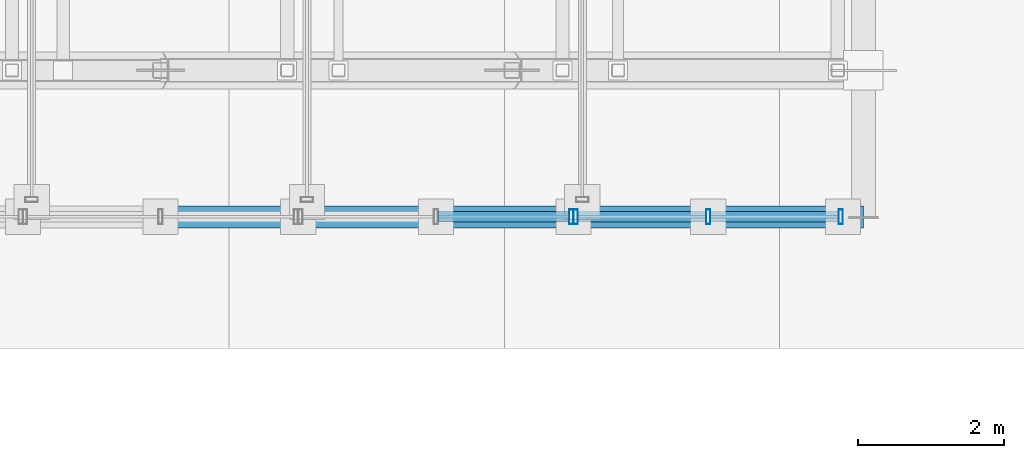
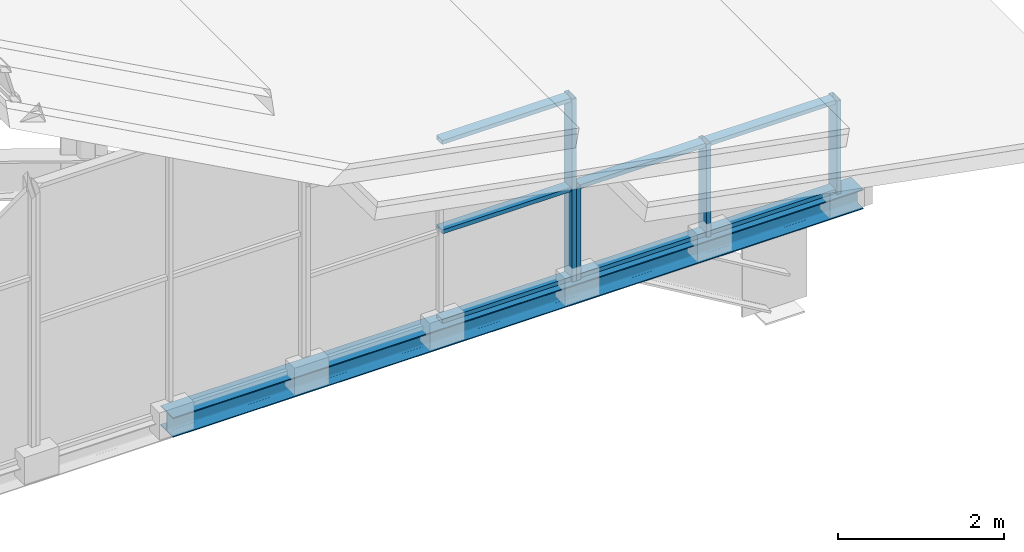
# One storey, part 9 of 117: 11 members, 1 beam, 2 elements without a shape of their own.
"""IFC4 building model written with IfcOpenShell, lengths in metres."""

from ifc_helpers import new_model, si_unit, direction, frame, origin, origin_2d, place, context, subcontext, project, spatial, hollow_rectangle, i_section, extrude, material, material_profile, profile_set, type_object, element, aggregate, save


model = new_model("IFC4")

# Units and contexts
model_context = context("Model", 3, precision=1e-05, world=origin(), true_north=direction((0.0, 1.0)))
body_context = subcontext(model_context, "Body", "Model", "MODEL_VIEW")
ifc_project = project(units=[si_unit("LENGTHUNIT", "METRE"), si_unit("AREAUNIT", "SQUARE_METRE"), si_unit("VOLUMEUNIT", "CUBIC_METRE"), si_unit("PLANEANGLEUNIT", "RADIAN"), si_unit("MASSUNIT", "GRAM", prefix="KILO")], contexts=[model_context])

# Site, building, storey
site_placement = place(None, origin())
site = spatial("IfcSite", under=ifc_project, at=site_placement, CompositionType="ELEMENT")
building_placement = place(site_placement, origin())
building = spatial("IfcBuilding", under=site, at=building_placement, Name="Merenkruunu Market Hall", CompositionType="ELEMENT")
storey_placement = place(building_placement, frame((0.0, 0.0, 22.800048828125)))
storey = spatial("IfcBuildingStorey", under=building, at=storey_placement, Name="RF", CompositionType="ELEMENT", Elevation=22.800048828125)

# Curtain wall, member
ifc_material_1 = material(Name="Powder-coated aluminium", Category="aluminium")
curtain_wall_type_1 = type_object("IfcCurtainWallType", Name="Glazed Curtain Wall CW17", PredefinedType="USERDEFINED", material=ifc_material_1)
curtain_wall_1_placement = place(storey_placement, origin())
curtain_wall_1 = element("IfcCurtainWall", 1, at=curtain_wall_1_placement, inside=storey, type_object=curtain_wall_type_1, Name="CW-RF-CWM03-049", ObjectType="GLAZED_FACADE", PredefinedType="USERDEFINED")
ifc_material_profile_1 = material_profile(ifc_material_1, hollow_rectangle(XDim=0.06005859375, YDim=0.199951171875, WallThickness=0.0048828125, at=origin_2d()), Name="ALU 60x200x5")
ifc_profile_set_1 = profile_set([ifc_material_profile_1], Name="Powder-coated aluminium")
member_type_1 = type_object("IfcMemberType", Name="Curtain Wall Mullion CWM03", PredefinedType="MULLION", material=ifc_profile_set_1)
member_1_placement = place(storey_placement, frame((53.610107421875, 15.60009765625, -8.68994140625), z_axis=(0.0, 0.0, 1.0), x_axis=(-1.0, 0.0, 0.0)))
member_1 = element("IfcMember", 2, at=member_1_placement, type_object=member_type_1, Name="CW17 mullion 1", PredefinedType="MULLION", context=body_context, shape_type="SweptSolid", body=[
    extrude(hollow_rectangle(XDim=0.06005859375, YDim=0.199951171875, WallThickness=0.0048828125, at=origin_2d()), origin(), (0.0, 0.0, 1.0), 2.68994140625),
])

# Curtain wall, members
curtain_wall_type_2 = type_object("IfcCurtainWallType", Name="Clerestory Curtain Band CL03", PredefinedType="USERDEFINED", material=ifc_material_1)
curtain_wall_2_placement = place(storey_placement, origin())
curtain_wall_2 = element("IfcCurtainWall", 3, at=curtain_wall_2_placement, inside=storey, type_object=curtain_wall_type_2, Name="CW-RF-CWM03-050", ObjectType="CLERESTORY_BAND", PredefinedType="USERDEFINED")
member_2_placement = place(storey_placement, frame((57.2900390625, 15.60009765625, -8.68994140625), z_axis=(0.0, 0.0, 1.0), x_axis=(-1.0, 0.0, 0.0)))
member_2 = element("IfcMember", 4, at=member_2_placement, type_object=member_type_1, Name="CL03 mullion 1", PredefinedType="MULLION", context=body_context, shape_type="SweptSolid", body=[
    extrude(hollow_rectangle(XDim=0.06005859375, YDim=0.199951171875, WallThickness=0.0048828125, at=origin_2d()), origin(), (0.0, 0.0, 1.0), 1.369873046875),
])
member_3_placement = place(storey_placement, frame((55.47998046875, 15.60009765625, -8.68994140625), z_axis=(0.0, 0.0, 1.0), x_axis=(-1.0, 0.0, 0.0)))
member_3 = element("IfcMember", 5, at=member_3_placement, type_object=member_type_1, Name="CL03 mullion 2", PredefinedType="MULLION", context=body_context, shape_type="SweptSolid", body=[
    extrude(hollow_rectangle(XDim=0.06005859375, YDim=0.199951171875, WallThickness=0.0048828125, at=origin_2d()), origin(), (0.0, 0.0, 1.0), 1.369873046875),
])
member_4_placement = place(storey_placement, frame((53.669921875, 15.60009765625, -8.68994140625), z_axis=(0.0, 0.0, 1.0), x_axis=(-1.0, 0.0, 0.0)))
member_4 = element("IfcMember", 6, at=member_4_placement, type_object=member_type_1, Name="CL03 mullion 3", PredefinedType="MULLION", context=body_context, shape_type="SweptSolid", body=[
    extrude(hollow_rectangle(XDim=0.06005859375, YDim=0.199951171875, WallThickness=0.0048828125, at=origin_2d()), origin(), (0.0, 0.0, 1.0), 1.369873046875),
])

# Member
ifc_material_profile_2 = material_profile(ifc_material_1, hollow_rectangle(XDim=0.06005859375, YDim=0.139892578125, WallThickness=0.00390625, at=origin_2d()), Name="ALU 60x140x4")
ifc_profile_set_2 = profile_set([ifc_material_profile_2], Name="Powder-coated aluminium")
member_type_2 = type_object("IfcMemberType", Name="Curtain Wall Transom CWT02", PredefinedType="USERDEFINED", material=ifc_profile_set_2)
member_5_placement = place(storey_placement, frame((53.580078125, 15.60009765625, -8.66015625), z_axis=(-1.0, 0.0, 0.0), x_axis=(0.0, 0.0, 1.0)))
member_5 = element("IfcMember", 7, at=member_5_placement, type_object=member_type_2, Name="CW17 transom 1.1", ObjectType="TRANSOM", PredefinedType="USERDEFINED", context=body_context, shape_type="SweptSolid", body=[
    extrude(hollow_rectangle(XDim=0.06005859375, YDim=0.139892578125, WallThickness=0.00390625, at=origin_2d()), origin(), (0.0, 0.0, 1.0), 1.7900390625),
])

member_6_placement = place(storey_placement, frame((53.580078125, 15.60009765625, -7.344970703125), z_axis=(-1.0, 0.0, 0.0), x_axis=(0.0, 0.0, 1.0)))
member_6 = element("IfcMember", 8, at=member_6_placement, type_object=member_type_2, Name="CW17 transom 1.2", ObjectType="TRANSOM", PredefinedType="USERDEFINED", context=body_context, shape_type="SweptSolid", body=[
    extrude(hollow_rectangle(XDim=0.06005859375, YDim=0.139892578125, WallThickness=0.00390625, at=origin_2d()), origin(), (0.0, 0.0, 1.0), 1.7900390625),
])

member_7_placement = place(storey_placement, frame((53.580078125, 15.60009765625, -6.030029296875), z_axis=(-1.0, 0.0, 0.0), x_axis=(0.0, 0.0, 1.0)))
member_7 = element("IfcMember", 9, at=member_7_placement, type_object=member_type_2, Name="CW17 transom 1.3", ObjectType="TRANSOM", PredefinedType="USERDEFINED", context=body_context, shape_type="SweptSolid", body=[
    extrude(hollow_rectangle(XDim=0.06005859375, YDim=0.139892578125, WallThickness=0.00390625, at=origin_2d()), origin(), (0.0, 0.0, 1.0), 1.7900390625),
])

aggregate(curtain_wall_1, [member_1, member_5, member_6, member_7])

member_8_placement = place(storey_placement, frame((57.260009765625, 15.60009765625, -8.66015625), z_axis=(-1.0, 0.0, 0.0), x_axis=(0.0, 0.0, 1.0)))
member_8 = element("IfcMember", 10, at=member_8_placement, type_object=member_type_2, Name="CL03 transom 1.1", ObjectType="TRANSOM", PredefinedType="USERDEFINED", context=body_context, shape_type="SweptSolid", body=[
    extrude(hollow_rectangle(XDim=0.06005859375, YDim=0.139892578125, WallThickness=0.00390625, at=origin_2d()), origin(), (0.0, 0.0, 1.0), 1.75),
])

member_9_placement = place(storey_placement, frame((57.260009765625, 15.60009765625, -7.35009765625), z_axis=(-1.0, 0.0, 0.0), x_axis=(0.0, 0.0, 1.0)))
member_9 = element("IfcMember", 11, at=member_9_placement, type_object=member_type_2, Name="CL03 transom 1.2", ObjectType="TRANSOM", PredefinedType="USERDEFINED", context=body_context, shape_type="SweptSolid", body=[
    extrude(hollow_rectangle(XDim=0.06005859375, YDim=0.139892578125, WallThickness=0.00390625, at=origin_2d()), origin(), (0.0, 0.0, 1.0), 1.75),
])

member_10_placement = place(storey_placement, frame((55.449951171875, 15.60009765625, -8.66015625), z_axis=(-1.0, 0.0, 0.0), x_axis=(0.0, 0.0, 1.0)))
member_10 = element("IfcMember", 12, at=member_10_placement, type_object=member_type_2, Name="CL03 transom 2.1", ObjectType="TRANSOM", PredefinedType="USERDEFINED", context=body_context, shape_type="SweptSolid", body=[
    extrude(hollow_rectangle(XDim=0.06005859375, YDim=0.139892578125, WallThickness=0.00390625, at=origin_2d()), origin(), (0.0, 0.0, 1.0), 1.75),
])

member_11_placement = place(storey_placement, frame((55.449951171875, 15.60009765625, -7.35009765625), z_axis=(-1.0, 0.0, 0.0), x_axis=(0.0, 0.0, 1.0)))
member_11 = element("IfcMember", 13, at=member_11_placement, type_object=member_type_2, Name="CL03 transom 2.2", ObjectType="TRANSOM", PredefinedType="USERDEFINED", context=body_context, shape_type="SweptSolid", body=[
    extrude(hollow_rectangle(XDim=0.06005859375, YDim=0.139892578125, WallThickness=0.00390625, at=origin_2d()), origin(), (0.0, 0.0, 1.0), 1.75),
])

aggregate(curtain_wall_2, [member_2, member_3, member_4, member_8, member_9, member_10, member_11])

# Beam
ifc_material_2 = material(Name="Steel S355J2", Category="steel")
ifc_material_profile_3 = material_profile(ifc_material_2, i_section(OverallWidth=0.300048828125, OverallDepth=0.2900390625, WebThickness=0.008544921875, FlangeThickness=0.013916015625, FilletRadius=0.027099609375, at=origin_2d()), Name="HEA 300")
ifc_profile_set_3 = profile_set([ifc_material_profile_3], Name="Steel S355J2")
beam_type = type_object("IfcBeamType", Name="Primary Floor Girder B09", PredefinedType="BEAM", material=ifc_profile_set_3)
beam_placement = place(storey_placement, frame((48.0, 15.60009765625, -8.844970703125), z_axis=(1.0, 0.0, 0.0), x_axis=(0.0, 1.0, 0.0)))
element("IfcBeam", 14, at=beam_placement, inside=storey, type_object=beam_type, Name="BM-RF-B09-1259", PredefinedType="BEAM", context=body_context, shape_type="SweptSolid", body=[
    extrude(i_section(OverallWidth=0.300048828125, OverallDepth=0.2900390625, WebThickness=0.008544921875, FlangeThickness=0.013916015625, FilletRadius=0.027099609375, at=origin_2d()), origin(), (0.0, 0.0, 1.0), 9.60009765625),
])

save(model, "model.ifc")
